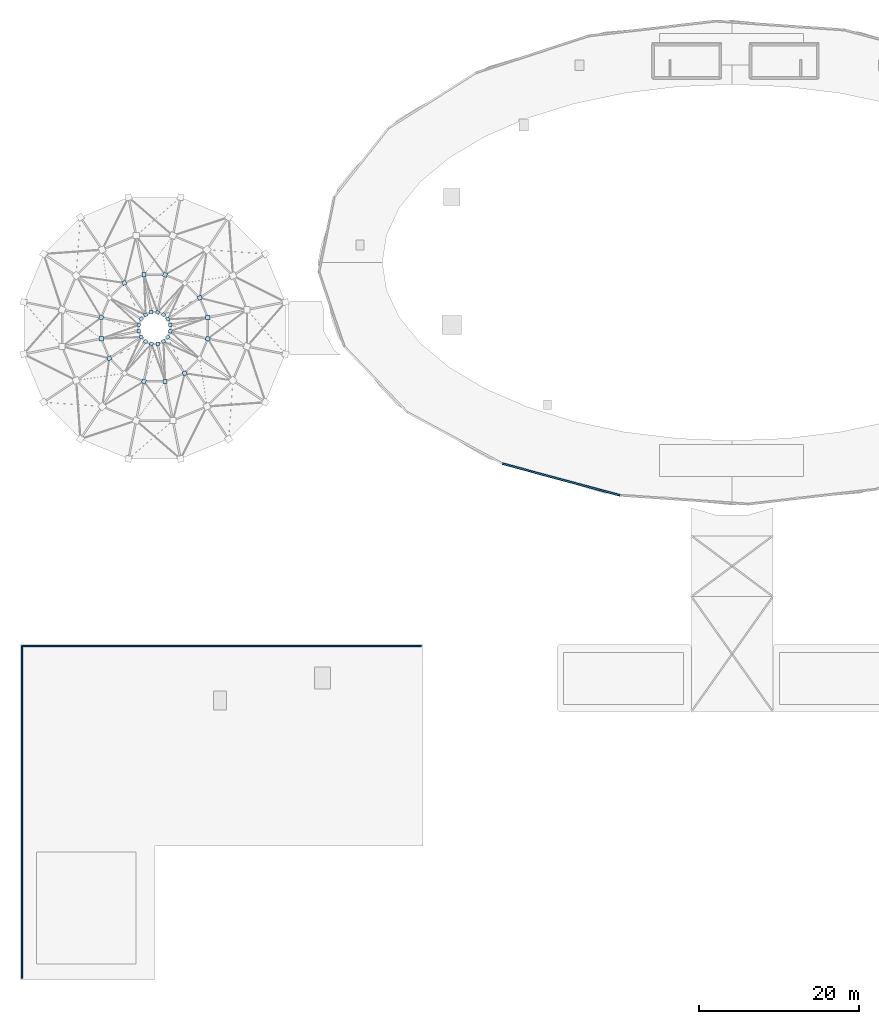
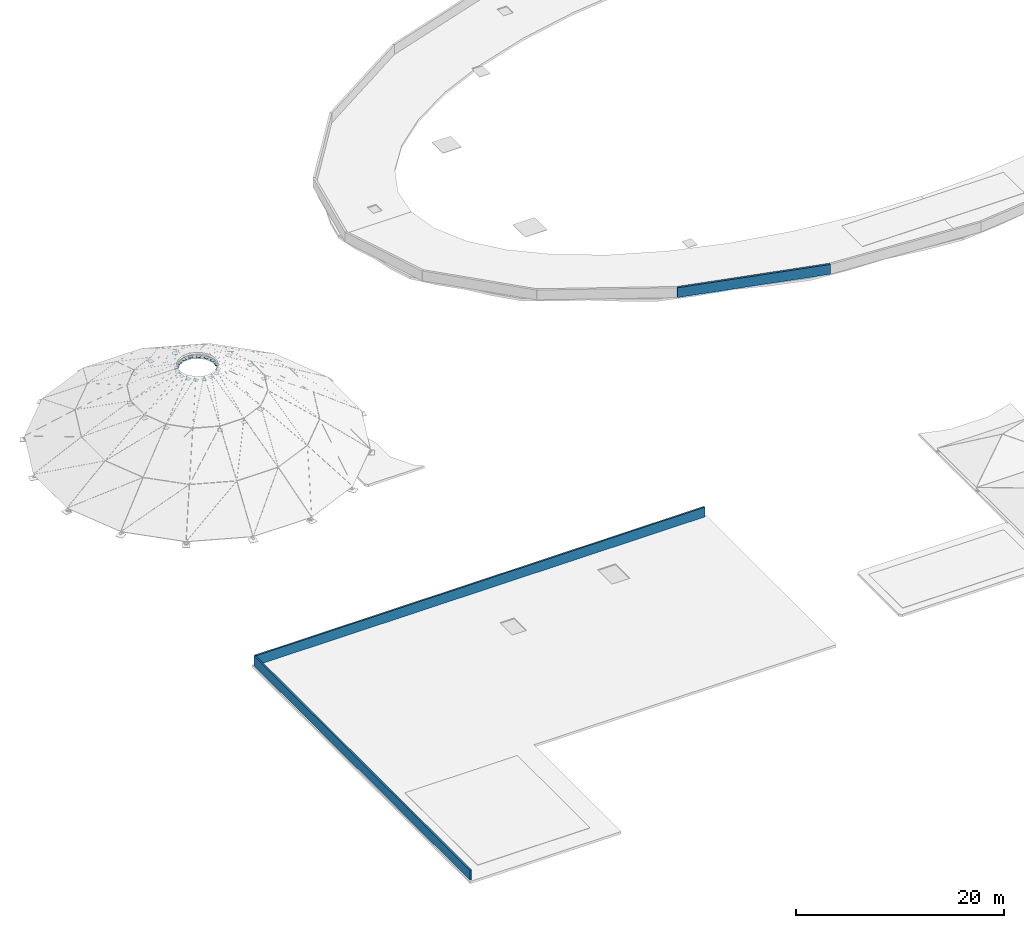
# One storey, part 8 of 11: 28 plates, 3 walls.
"""IFC4 building model written with IfcOpenShell, lengths in metres."""

import ifcopenshell
import ifcopenshell.guid

model = None  # the IFC model being written
_history = None  # IfcOwnerHistory: only IFC2X3 demands one
_inside = {}  # id of a spatial element -> (the spatial element, [elements in it])
_under = {}  # id of a project, library or spatial element -> (it, [spatial elements below it])
_declared = {}  # id of a project -> (the project, [libraries it declares])
_typed = {}  # id of a type object -> (the type object, [elements of that type])
_made_of = {}  # id of a material, layer set ... -> (it, [elements and type objects made of it])


def new_model(schema):
    """Start an empty IFC model of exactly this schema.

    Asked for "IFC4X3", IfcOpenShell would pick the latest addendum, in which some entities
    have other attributes; the version numbers below select the first issue.
    IFC2X3 requires an IfcOwnerHistory on every rooted entity: one is made here for all.
    """
    global model, _history
    if schema == "IFC4X3":
        model = ifcopenshell.file(schema_version=(4, 3, 0, 0))
    else:
        model = ifcopenshell.file(schema=schema)
    _inside.clear()
    _under.clear()
    _declared.clear()
    _typed.clear()
    _made_of.clear()
    _history = None
    if model.schema == "IFC2X3":
        org = make("IfcOrganization", Name="unknown")
        user = make(
            "IfcPersonAndOrganization",
            ThePerson=make("IfcPerson", FamilyName="unknown"),
            TheOrganization=org,
        )
        app = make(
            "IfcApplication",
            ApplicationDeveloper=org,
            Version="unknown",
            ApplicationFullName="unknown",
            ApplicationIdentifier="unknown",
        )
        _history = make(
            "IfcOwnerHistory",
            OwningUser=user,
            OwningApplication=app,
            ChangeAction="ADDED",
            CreationDate=0,
        )
    return model


def make(cls, **values):
    """One entity of the class cls with the attributes given. An attribute that is None is left unset."""
    return model.create_entity(
        cls, **{name: value for name, value in values.items() if value is not None}
    )


def rooted(cls, **values):
    """An entity with a GlobalId (a new one), such as an element, a storey or a relation."""
    return make(cls, GlobalId=ifcopenshell.guid.new(), OwnerHistory=_history, **values)


def si_unit(unit_type, name, prefix=None):
    """IfcSIUnit, for example si_unit("LENGTHUNIT", "METRE", prefix="MILLI")."""
    return make("IfcSIUnit", UnitType=unit_type, Prefix=prefix, Name=name)


def assignment(units):
    """IfcUnitAssignment: the units of a project."""
    return None if units is None else make("IfcUnitAssignment", Units=units)


def point(xyz):
    """IfcCartesianPoint."""
    return None if xyz is None else make("IfcCartesianPoint", Coordinates=xyz)


def direction(xyz):
    """IfcDirection."""
    return None if xyz is None else make("IfcDirection", DirectionRatios=xyz)


def frame(location, z_axis=None, x_axis=None):
    """IfcAxis2Placement3D, a coordinate frame: its origin and axes. An axis left out is left unset."""
    return make(
        "IfcAxis2Placement3D",
        Location=point(location),
        Axis=direction(z_axis),
        RefDirection=direction(x_axis),
    )


def frame_2d(location, x_axis=None):
    """IfcAxis2Placement2D, a coordinate frame in the plane: its origin and x axis."""
    return make(
        "IfcAxis2Placement2D", Location=point(location), RefDirection=direction(x_axis)
    )


def origin():
    """The frame at (0, 0, 0) with its axes left unset."""
    return frame((0.0, 0.0, 0.0))


def origin_2d():
    """The frame at (0, 0) in the plane with its x axis left unset."""
    return frame_2d((0.0, 0.0))


def place(relative_to, where):
    """IfcLocalPlacement: puts the frame where relative to a parent placement (None: the world)."""
    return make(
        "IfcLocalPlacement", PlacementRelTo=relative_to, RelativePlacement=where
    )


def context(
    kind, dimensions, precision=None, world=None, true_north=None, identifier=None
):
    """IfcGeometricRepresentationContext, for example the 3D "Model" context."""
    return make(
        "IfcGeometricRepresentationContext",
        ContextIdentifier=identifier,
        ContextType=kind,
        CoordinateSpaceDimension=dimensions,
        Precision=precision,
        WorldCoordinateSystem=world,
        TrueNorth=true_north,
    )


def subcontext(parent, identifier, kind, view, scale=None):
    """IfcGeometricRepresentationSubContext, for example "Body" below "Model"."""
    return make(
        "IfcGeometricRepresentationSubContext",
        ContextIdentifier=identifier,
        ContextType=kind,
        ParentContext=parent,
        TargetScale=scale,
        TargetView=view,
    )


def project(units=None, contexts=None):
    """IfcProject with its units and contexts."""
    return rooted(
        "IfcProject",
        Name="project",
        RepresentationContexts=contexts,
        UnitsInContext=assignment(units),
    )


def spatial(cls, under=None, at=None, **own):
    """A site, building, storey or space (cls), placed at a placement, below another one or the project."""
    s = rooted(cls, ObjectPlacement=at, **own)
    if under is not None:
        _under.setdefault(under.id(), (under, []))[1].append(s)
    return s


def profile(cls, at=None, kind="AREA", **sizes):
    """A parametric profile (cls). Its sizes go by their IFC names, for example OverallWidth=200.0."""
    return make(cls, ProfileType=kind, Position=at, **sizes)


def rectangle(**sizes):
    """IfcRectangleProfileDef."""
    return profile("IfcRectangleProfileDef", **sizes)


def extrude(swept, where, along, depth):
    """IfcExtrudedAreaSolid: the profile swept, set in the frame where, extruded along a direction by depth."""
    return make(
        "IfcExtrudedAreaSolid",
        SweptArea=swept,
        Position=where,
        ExtrudedDirection=direction(along),
        Depth=depth,
    )


def shape(context_of_items, identifier, shape_type, items):
    """IfcShapeRepresentation: the items that make up one representation, for example the "Body"."""
    return make(
        "IfcShapeRepresentation",
        ContextOfItems=context_of_items,
        RepresentationIdentifier=identifier,
        RepresentationType=shape_type,
        Items=items,
    )


def material(Name=None, Category=None):
    """IfcMaterial."""
    return make("IfcMaterial", Name=Name, Category=Category)


def layer(
    of_material, thickness, ventilated=None, Name=None, Category=None, Priority=None
):
    """IfcMaterialLayer: one layer of a wall or slab, of a material (None: an air gap)."""
    return make(
        "IfcMaterialLayer",
        Material=of_material,
        LayerThickness=thickness,
        IsVentilated=ventilated,
        Name=Name,
        Category=Category,
        Priority=Priority,
    )


def layer_set(layers, Name=None):
    """IfcMaterialLayerSet."""
    return make("IfcMaterialLayerSet", MaterialLayers=layers, LayerSetName=Name)


def made_of(thing, what):
    """Note that an element or type object is made of a material, layer set ...; save() writes the relation."""
    if what is not None:
        _made_of.setdefault(what.id(), (what, []))[1].append(thing)
    return thing


def type_object(cls, material=None, **own):
    """A type object (cls), such as IfcWallType, which elements share."""
    return made_of(rooted(cls, **own), material)


def element(
    cls,
    number,
    at=None,
    inside=None,
    cuts=None,
    type_object=None,
    material=None,
    context=None,
    identifier="Body",
    shape_type=None,
    held_by="IfcProductDefinitionShape",
    body=None,
    shapes=None,
    **own,
):
    """One element of the class cls, such as IfcWall. Its Tag is "e" and its number.

    at: its placement. inside: the storey or other place that contains it. cuts: it is an
    opening in that element (IfcRelVoidsElement). A single representation is given by context,
    identifier, shape_type and body (its items); several are given by shapes. held_by: the class
    of the entity that holds the representations. save() writes the other relations.
    """
    e = rooted(cls, Tag="e%d" % number, ObjectPlacement=at, **own)
    if body is not None:
        shapes = [shape(context, identifier, shape_type, body)]
    if shapes is not None:
        e.Representation = make(held_by, Representations=shapes)
    if inside is not None:
        _inside.setdefault(inside.id(), (inside, []))[1].append(e)
    if cuts is not None:
        rooted(
            "IfcRelVoidsElement", RelatingBuildingElement=cuts, RelatedOpeningElement=e
        )
    if type_object is not None:
        _typed.setdefault(type_object.id(), (type_object, []))[1].append(e)
    return made_of(e, material)


def aggregate(whole, parts):
    """IfcRelAggregates: a whole, such as a stair, and the parts it consists of."""
    return rooted("IfcRelAggregates", RelatingObject=whole, RelatedObjects=parts)


def save(model, path):
    """Write the relations noted so far, then the file.

    IfcRelAggregates (storeys below a building ...), IfcRelContainedInSpatialStructure (elements
    in a storey), IfcRelDefinesByType, IfcRelAssociatesMaterial and IfcRelDeclares: one each for
    every whole, place, type object, material and project.
    """
    for whole, parts in _under.values():
        aggregate(whole, parts)
    for where, things in _inside.values():
        rooted(
            "IfcRelContainedInSpatialStructure",
            RelatedElements=things,
            RelatingStructure=where,
        )
    for kind, things in _typed.values():
        rooted("IfcRelDefinesByType", RelatedObjects=things, RelatingType=kind)
    for what, things in _made_of.values():
        rooted("IfcRelAssociatesMaterial", RelatedObjects=things, RelatingMaterial=what)
    for by, libraries in _declared.values():
        rooted("IfcRelDeclares", RelatingContext=by, RelatedDefinitions=libraries)
    model.write(path)


model = new_model("IFC4")

# Units and contexts
model_context = context("Model", 3, precision=1e-05, world=origin(), true_north=direction((0.0, 1.0)))
body_context = subcontext(model_context, "Body", "Model", "MODEL_VIEW")
ifc_project = project(units=[si_unit("LENGTHUNIT", "METRE"), si_unit("AREAUNIT", "SQUARE_METRE"), si_unit("VOLUMEUNIT", "CUBIC_METRE"), si_unit("PLANEANGLEUNIT", "RADIAN"), si_unit("MASSUNIT", "GRAM", prefix="KILO"), si_unit("THERMODYNAMICTEMPERATUREUNIT", "KELVIN"), si_unit("POWERUNIT", "WATT")], contexts=[model_context])

# Site, building, storey
site_placement = place(None, origin())
site = spatial("IfcSite", under=ifc_project, at=site_placement, CompositionType="ELEMENT")
building_placement = place(site_placement, origin())
building = spatial("IfcBuilding", under=site, at=building_placement, Name="Darbajah Civic Hall", CompositionType="ELEMENT")
storey_placement = place(building_placement, frame((0.0, 0.0, 30.60009765625)))
storey = spatial("IfcBuildingStorey", under=building, at=storey_placement, Name="ROOF", CompositionType="ELEMENT", Elevation=30.60009765625)

# Plates
ifc_material_1 = material(Name="Steel S355JR", Category="steel")
ifc_layer_1 = layer(ifc_material_1, 0.02001953125, Name="Steel S355JR")
ifc_layer_set_1 = layer_set([ifc_layer_1], Name="Steel S355JR")
plate_type_1 = type_object("IfcPlateType", Name="Steel Gusset Plate 440x440x20", PredefinedType="SHEET", material=ifc_layer_set_1)
for number, where, z_axis, x_axis, name in (
    (1, (18.76171875, 81.990234375, -3.43017578125), (0.0, 0.0, 1.0), (1.0, 0.0, 0.0), "Dome structural gusset plate DN3-1"),
    (2, (18.462890625, 82.711181640625, -3.43017578125), (0.0, 0.0, 1.0), (0.923879532511, 0.382683432365, 0.0), "Dome chevron brace node plate DO3-1"),
    (3, (17.9111328125, 83.262939453125, -3.43017578125), (0.0, 0.0, 1.0), (0.707106781187, 0.707106781187, 0.0), "Dome structural gusset plate DN3-2"),
    (4, (17.190185546875, 83.5615234375, -3.43017578125), (0.0, 0.0, 1.0), (0.382683432365, 0.923879532511, 0.0), "Dome chevron brace node plate DO3-2"),
    (5, (16.409912109375, 83.5615234375, -3.43017578125), (0.0, 0.0, 1.0), (0.0, 1.0, 0.0), "Dome structural gusset plate DN3-3"),
    (6, (15.68896484375, 83.262939453125, -3.43017578125), (0.0, 0.0, 1.0), (-0.382683432365, 0.923879532511, 0.0), "Dome chevron brace node plate DO3-3"),
    (7, (15.13720703125, 82.711181640625, -3.43017578125), (0.0, 0.0, 1.0), (-0.707106781187, 0.707106781187, 0.0), "Dome structural gusset plate DN3-4"),
    (8, (14.83837890625, 81.990234375, -3.43017578125), (0.0, 0.0, 1.0), (-0.923879532511, 0.382683432365, 0.0), "Dome chevron brace node plate DO3-4"),
    (9, (14.83837890625, 81.209716796875, -3.43017578125), (0.0, 0.0, 1.0), (-1.0, 0.0, 0.0), "Dome structural gusset plate DN3-5"),
    (10, (15.13720703125, 80.489013671875, -3.43017578125), (0.0, 0.0, 1.0), (-0.923879532511, -0.382683432365, 0.0), "Dome chevron brace node plate DO3-5"),
    (11, (15.68896484375, 79.93701171875, -3.43017578125), (0.0, 0.0, 1.0), (-0.707106781187, -0.707106781187, 0.0), "Dome structural gusset plate DN3-6"),
    (12, (16.409912109375, 79.638427734375, -3.43017578125), (0.0, 0.0, 1.0), (-0.382683432365, -0.923879532511, 0.0), "Dome chevron brace node plate DO3-6"),
    (13, (17.190185546875, 79.638427734375, -3.43017578125), (0.0, 0.0, 1.0), (0.0, -1.0, 0.0), "Dome structural gusset plate DN3-7"),
    (14, (17.9111328125, 79.93701171875, -3.43017578125), (0.0, 0.0, 1.0), (0.382683432365, -0.923879532511, 0.0), "Dome chevron brace node plate DO3-7"),
    (15, (18.462890625, 80.489013671875, -3.43017578125), (0.0, 0.0, 1.0), (0.707106781187, -0.707106781187, 0.0), "Dome structural gusset plate DN3-8"),
    (16, (18.76171875, 81.209716796875, -3.43017578125), (0.0, 0.0, 1.0), (0.923879532511, -0.382683432365, 0.0), "Dome chevron brace node plate DO3-8"),
):
    element("IfcPlate", number, at=place(storey_placement, frame(where, z_axis=z_axis, x_axis=x_axis)), inside=storey, type_object=plate_type_1, Name=name, PredefinedType="SHEET", context=body_context, shape_type="SweptSolid", body=[
        extrude(rectangle(XDim=0.43994140625, YDim=0.43994140625, at=origin_2d()), origin(), (0.0, 0.0, 1.0), 0.02001953125),
    ])
ifc_layer_2 = layer(ifc_material_1, 0.02490234375, Name="Steel S355JR")
ifc_layer_set_2 = layer_set([ifc_layer_2], Name="Steel S355JR")
plate_type_2 = type_object("IfcPlateType", Name="Steel Gusset Plate 520x520x25", PredefinedType="SHEET", material=ifc_layer_set_2)
for number, where, z_axis, x_axis, name in (
    (17, (23.46923828125, 82.926513671875, -6.192626953125), (0.0, 0.0, 1.0), (1.0, 0.0, 0.0), "Dome structural gusset plate DN2-1"),
    (18, (22.4541015625, 85.3779296875, -6.192626953125), (0.0, 0.0, 1.0), (0.923879532511, 0.382683432365, 0.0), "Dome chevron brace node plate DO2-1"),
    (19, (18.126708984375, 88.269287109375, -6.192626953125), (0.0, 0.0, 1.0), (0.382683432365, 0.923879532511, 0.0), "Dome chevron brace node plate DO2-2"),
    (20, (15.473388671875, 88.269287109375, -6.192626953125), (0.0, 0.0, 1.0), (0.0, 1.0, 0.0), "Dome structural gusset plate DN2-3"),
    (21, (13.022216796875, 87.25390625, -6.192626953125), (0.0, 0.0, 1.0), (-0.382683432365, 0.923879532511, 0.0), "Dome chevron brace node plate DO2-3"),
    (22, (10.130615234375, 82.926513671875, -6.192626953125), (0.0, 0.0, 1.0), (-0.923879532511, 0.382683432365, 0.0), "Dome chevron brace node plate DO2-4"),
    (23, (10.130615234375, 80.2734375, -6.192626953125), (0.0, 0.0, 1.0), (-1.0, 0.0, 0.0), "Dome structural gusset plate DN2-5"),
    (24, (11.14599609375, 77.822021484375, -6.192626953125), (0.0, 0.0, 1.0), (-0.923879532511, -0.382683432365, 0.0), "Dome chevron brace node plate DO2-5"),
    (25, (15.473388671875, 74.9306640625, -6.192626953125), (0.0, 0.0, 1.0), (-0.382683432365, -0.923879532511, 0.0), "Dome chevron brace node plate DO2-6"),
    (26, (18.126708984375, 74.9306640625, -6.192626953125), (0.0, 0.0, 1.0), (0.0, -1.0, 0.0), "Dome structural gusset plate DN2-7"),
    (27, (20.577880859375, 75.946044921875, -6.192626953125), (0.0, 0.0, 1.0), (0.382683432365, -0.923879532511, 0.0), "Dome chevron brace node plate DO2-7"),
    (28, (23.46923828125, 80.2734375, -6.192626953125), (0.0, 0.0, 1.0), (0.923879532511, -0.382683432365, 0.0), "Dome chevron brace node plate DO2-8"),
):
    element("IfcPlate", number, at=place(storey_placement, frame(where, z_axis=z_axis, x_axis=x_axis)), inside=storey, type_object=plate_type_2, Name=name, PredefinedType="SHEET", context=body_context, shape_type="SweptSolid", body=[
        extrude(rectangle(XDim=0.52001953125, YDim=0.52001953125, at=origin_2d()), origin(), (0.0, 0.0, 1.0), 0.02490234375),
    ])

# Walls
ifc_material_2 = material(Name="Red Dholpur Sandstone Cladding", Category="masonry")
ifc_layer_3 = layer(ifc_material_2, 0.18994140625, Name="Red Dholpur Sandstone Cladding")
ifc_layer_set_3 = layer_set([ifc_layer_3], Name="Red Dholpur Sandstone Cladding")
wall_type_1 = type_object("IfcWallType", Name="Exterior Parapet Wall 190mm", PredefinedType="PARAPET", material=ifc_layer_set_3)
wall_1_placement = place(storey_placement, frame((0.199951171875, 41.800048828125, -8.400146484375), z_axis=(0.0, 0.0, 1.0), x_axis=(1.0, 0.0, 0.0)))
element("IfcWall", 29, at=wall_1_placement, inside=storey, type_object=wall_type_1, Name="Roof parapet V5-N", PredefinedType="PARAPET", context=body_context, shape_type="SweptSolid", body=[
    extrude(rectangle(XDim=50.0, YDim=0.18994140625, at=frame_2d((25.0, 0.0))), origin(), (0.0, 0.0, 1.0), 1.150146484375),
])
wall_2_placement = place(storey_placement, frame((0.199951171875, 0.199951171875, -8.400146484375), z_axis=(0.0, 0.0, 1.0), x_axis=(0.0, 1.0, 0.0)))
element("IfcWall", 30, at=wall_2_placement, inside=storey, type_object=wall_type_1, Name="Roof parapet V5-W", PredefinedType="PARAPET", context=body_context, shape_type="SweptSolid", body=[
    extrude(rectangle(XDim=41.60009765625, YDim=0.18994140625, at=frame_2d((20.800048828125, 0.0))), origin(), (0.0, 0.0, 1.0), 1.150146484375),
])
ifc_material_3 = material(Name="Qatari Desert Limestone Ashlar", Category="masonry")
ifc_layer_4 = layer(ifc_material_3, 0.22998046875, Name="Qatari Desert Limestone Ashlar")
ifc_layer_set_4 = layer_set([ifc_layer_4], Name="Qatari Desert Limestone Ashlar")
wall_type_2 = type_object("IfcWallType", Name="Exterior Parapet Wall 230mm", PredefinedType="PARAPET", material=ifc_layer_set_4)
wall_3_placement = place(storey_placement, frame((60.337890625, 64.630859375, 0.0), z_axis=(0.0, 0.0, 1.0), x_axis=(0.965539899987, -0.260255070138, 0.0)))
element("IfcWall", 31, at=wall_3_placement, inside=storey, type_object=wall_type_2, Name="V1 roof stone parapet 14", PredefinedType="PARAPET", context=body_context, shape_type="SweptSolid", body=[
    extrude(rectangle(XDim=15.234375, YDim=0.22998046875, at=frame_2d((7.6171875, 0.0))), origin(), (0.0, 0.0, 1.0), 1.14990234375),
])

save(model, "model.ifc")
